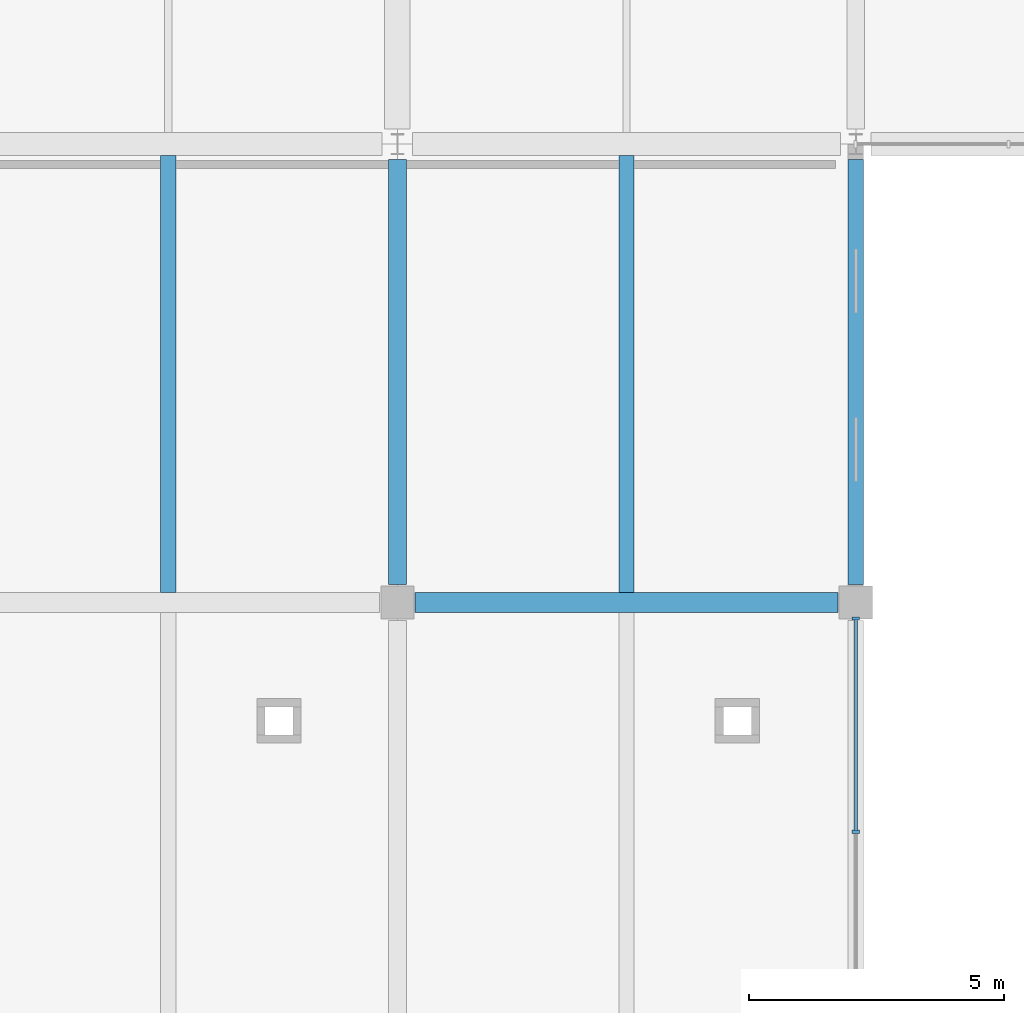
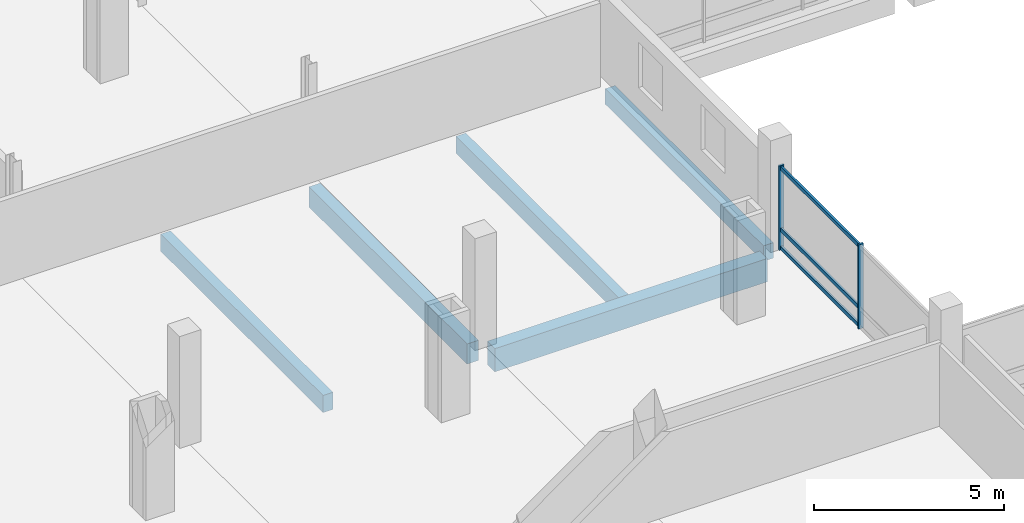
# One storey, part 37 of 132: 5 beams, 5 members, 1 element without a shape of its own.
"""IFC4 building model written with IfcOpenShell, lengths in metres."""

import ifcopenshell
import ifcopenshell.guid

model = None  # the IFC model being written
_history = None  # IfcOwnerHistory: only IFC2X3 demands one
_inside = {}  # id of a spatial element -> (the spatial element, [elements in it])
_under = {}  # id of a project, library or spatial element -> (it, [spatial elements below it])
_declared = {}  # id of a project -> (the project, [libraries it declares])
_typed = {}  # id of a type object -> (the type object, [elements of that type])
_made_of = {}  # id of a material, layer set ... -> (it, [elements and type objects made of it])


def new_model(schema):
    """Start an empty IFC model of exactly this schema.

    Asked for "IFC4X3", IfcOpenShell would pick the latest addendum, in which some entities
    have other attributes; the version numbers below select the first issue.
    IFC2X3 requires an IfcOwnerHistory on every rooted entity: one is made here for all.
    """
    global model, _history
    if schema == "IFC4X3":
        model = ifcopenshell.file(schema_version=(4, 3, 0, 0))
    else:
        model = ifcopenshell.file(schema=schema)
    _inside.clear()
    _under.clear()
    _declared.clear()
    _typed.clear()
    _made_of.clear()
    _history = None
    if model.schema == "IFC2X3":
        org = make("IfcOrganization", Name="unknown")
        user = make(
            "IfcPersonAndOrganization",
            ThePerson=make("IfcPerson", FamilyName="unknown"),
            TheOrganization=org,
        )
        app = make(
            "IfcApplication",
            ApplicationDeveloper=org,
            Version="unknown",
            ApplicationFullName="unknown",
            ApplicationIdentifier="unknown",
        )
        _history = make(
            "IfcOwnerHistory",
            OwningUser=user,
            OwningApplication=app,
            ChangeAction="ADDED",
            CreationDate=0,
        )
    return model


def make(cls, **values):
    """One entity of the class cls with the attributes given. An attribute that is None is left unset."""
    return model.create_entity(
        cls, **{name: value for name, value in values.items() if value is not None}
    )


def rooted(cls, **values):
    """An entity with a GlobalId (a new one), such as an element, a storey or a relation."""
    return make(cls, GlobalId=ifcopenshell.guid.new(), OwnerHistory=_history, **values)


def si_unit(unit_type, name, prefix=None):
    """IfcSIUnit, for example si_unit("LENGTHUNIT", "METRE", prefix="MILLI")."""
    return make("IfcSIUnit", UnitType=unit_type, Prefix=prefix, Name=name)


def assignment(units):
    """IfcUnitAssignment: the units of a project."""
    return None if units is None else make("IfcUnitAssignment", Units=units)


def point(xyz):
    """IfcCartesianPoint."""
    return None if xyz is None else make("IfcCartesianPoint", Coordinates=xyz)


def direction(xyz):
    """IfcDirection."""
    return None if xyz is None else make("IfcDirection", DirectionRatios=xyz)


def frame(location, z_axis=None, x_axis=None):
    """IfcAxis2Placement3D, a coordinate frame: its origin and axes. An axis left out is left unset."""
    return make(
        "IfcAxis2Placement3D",
        Location=point(location),
        Axis=direction(z_axis),
        RefDirection=direction(x_axis),
    )


def frame_2d(location, x_axis=None):
    """IfcAxis2Placement2D, a coordinate frame in the plane: its origin and x axis."""
    return make(
        "IfcAxis2Placement2D", Location=point(location), RefDirection=direction(x_axis)
    )


def origin():
    """The frame at (0, 0, 0) with its axes left unset."""
    return frame((0.0, 0.0, 0.0))


def origin_2d():
    """The frame at (0, 0) in the plane with its x axis left unset."""
    return frame_2d((0.0, 0.0))


def place(relative_to, where):
    """IfcLocalPlacement: puts the frame where relative to a parent placement (None: the world)."""
    return make(
        "IfcLocalPlacement", PlacementRelTo=relative_to, RelativePlacement=where
    )


def context(
    kind, dimensions, precision=None, world=None, true_north=None, identifier=None
):
    """IfcGeometricRepresentationContext, for example the 3D "Model" context."""
    return make(
        "IfcGeometricRepresentationContext",
        ContextIdentifier=identifier,
        ContextType=kind,
        CoordinateSpaceDimension=dimensions,
        Precision=precision,
        WorldCoordinateSystem=world,
        TrueNorth=true_north,
    )


def subcontext(parent, identifier, kind, view, scale=None):
    """IfcGeometricRepresentationSubContext, for example "Body" below "Model"."""
    return make(
        "IfcGeometricRepresentationSubContext",
        ContextIdentifier=identifier,
        ContextType=kind,
        ParentContext=parent,
        TargetScale=scale,
        TargetView=view,
    )


def project(units=None, contexts=None):
    """IfcProject with its units and contexts."""
    return rooted(
        "IfcProject",
        Name="project",
        RepresentationContexts=contexts,
        UnitsInContext=assignment(units),
    )


def spatial(cls, under=None, at=None, **own):
    """A site, building, storey or space (cls), placed at a placement, below another one or the project."""
    s = rooted(cls, ObjectPlacement=at, **own)
    if under is not None:
        _under.setdefault(under.id(), (under, []))[1].append(s)
    return s


def profile(cls, at=None, kind="AREA", **sizes):
    """A parametric profile (cls). Its sizes go by their IFC names, for example OverallWidth=200.0."""
    return make(cls, ProfileType=kind, Position=at, **sizes)


def rectangle(**sizes):
    """IfcRectangleProfileDef."""
    return profile("IfcRectangleProfileDef", **sizes)


def extrude(swept, where, along, depth):
    """IfcExtrudedAreaSolid: the profile swept, set in the frame where, extruded along a direction by depth."""
    return make(
        "IfcExtrudedAreaSolid",
        SweptArea=swept,
        Position=where,
        ExtrudedDirection=direction(along),
        Depth=depth,
    )


def shape(context_of_items, identifier, shape_type, items):
    """IfcShapeRepresentation: the items that make up one representation, for example the "Body"."""
    return make(
        "IfcShapeRepresentation",
        ContextOfItems=context_of_items,
        RepresentationIdentifier=identifier,
        RepresentationType=shape_type,
        Items=items,
    )


def material(Name=None, Category=None):
    """IfcMaterial."""
    return make("IfcMaterial", Name=Name, Category=Category)


def material_profile(
    of_material, cross_section, Name=None, Category=None, Priority=None
):
    """IfcMaterialProfile: a cross section and its material."""
    return make(
        "IfcMaterialProfile",
        Name=Name,
        Material=of_material,
        Profile=cross_section,
        Priority=Priority,
        Category=Category,
    )


def profile_set(profiles, Name=None, composite=None):
    """IfcMaterialProfileSet."""
    return make(
        "IfcMaterialProfileSet",
        Name=Name,
        MaterialProfiles=profiles,
        CompositeProfile=composite,
    )


def made_of(thing, what):
    """Note that an element or type object is made of a material, layer set ...; save() writes the relation."""
    if what is not None:
        _made_of.setdefault(what.id(), (what, []))[1].append(thing)
    return thing


def type_object(cls, material=None, **own):
    """A type object (cls), such as IfcWallType, which elements share."""
    return made_of(rooted(cls, **own), material)


def element(
    cls,
    number,
    at=None,
    inside=None,
    cuts=None,
    type_object=None,
    material=None,
    context=None,
    identifier="Body",
    shape_type=None,
    held_by="IfcProductDefinitionShape",
    body=None,
    shapes=None,
    **own,
):
    """One element of the class cls, such as IfcWall. Its Tag is "e" and its number.

    at: its placement. inside: the storey or other place that contains it. cuts: it is an
    opening in that element (IfcRelVoidsElement). A single representation is given by context,
    identifier, shape_type and body (its items); several are given by shapes. held_by: the class
    of the entity that holds the representations. save() writes the other relations.
    """
    e = rooted(cls, Tag="e%d" % number, ObjectPlacement=at, **own)
    if body is not None:
        shapes = [shape(context, identifier, shape_type, body)]
    if shapes is not None:
        e.Representation = make(held_by, Representations=shapes)
    if inside is not None:
        _inside.setdefault(inside.id(), (inside, []))[1].append(e)
    if cuts is not None:
        rooted(
            "IfcRelVoidsElement", RelatingBuildingElement=cuts, RelatedOpeningElement=e
        )
    if type_object is not None:
        _typed.setdefault(type_object.id(), (type_object, []))[1].append(e)
    return made_of(e, material)


def aggregate(whole, parts):
    """IfcRelAggregates: a whole, such as a stair, and the parts it consists of."""
    return rooted("IfcRelAggregates", RelatingObject=whole, RelatedObjects=parts)


def save(model, path):
    """Write the relations noted so far, then the file.

    IfcRelAggregates (storeys below a building ...), IfcRelContainedInSpatialStructure (elements
    in a storey), IfcRelDefinesByType, IfcRelAssociatesMaterial and IfcRelDeclares: one each for
    every whole, place, type object, material and project.
    """
    for whole, parts in _under.values():
        aggregate(whole, parts)
    for where, things in _inside.values():
        rooted(
            "IfcRelContainedInSpatialStructure",
            RelatedElements=things,
            RelatingStructure=where,
        )
    for kind, things in _typed.values():
        rooted("IfcRelDefinesByType", RelatedObjects=things, RelatingType=kind)
    for what, things in _made_of.values():
        rooted("IfcRelAssociatesMaterial", RelatedObjects=things, RelatingMaterial=what)
    for by, libraries in _declared.values():
        rooted("IfcRelDeclares", RelatingContext=by, RelatedDefinitions=libraries)
    model.write(path)


model = new_model("IFC4")

# Units and contexts
model_context = context("Model", 3, precision=1e-05, world=origin(), true_north=direction((0.0, 1.0)))
body_context = subcontext(model_context, "Body", "Model", "MODEL_VIEW")
ifc_project = project(units=[si_unit("LENGTHUNIT", "METRE"), si_unit("AREAUNIT", "SQUARE_METRE"), si_unit("VOLUMEUNIT", "CUBIC_METRE"), si_unit("PLANEANGLEUNIT", "RADIAN"), si_unit("MASSUNIT", "GRAM", prefix="KILO")], contexts=[model_context])

# Site, building, storey
site_placement = place(None, origin())
site = spatial("IfcSite", under=ifc_project, at=site_placement, CompositionType="ELEMENT")
building_placement = place(site_placement, origin())
building = spatial("IfcBuilding", under=site, at=building_placement, Name="Tharagai Park Tramway Depot", CompositionType="ELEMENT")
storey_placement = place(building_placement, frame((0.0, 0.0, 4.800048828125)))
storey = spatial("IfcBuildingStorey", under=building, at=storey_placement, Name="L01", CompositionType="ELEMENT", Elevation=4.800048828125)

# Beams
ifc_material_1 = material(Name="Concrete M35", Category="concrete")
ifc_material_profile_1 = material_profile(ifc_material_1, rectangle(XDim=0.35009765625, YDim=0.64990234375, at=origin_2d()), Name="RC 350x650")
ifc_profile_set_1 = profile_set([ifc_material_profile_1], Name="Concrete M35")
beam_type_1 = type_object("IfcBeamType", Name="BM-13", PredefinedType="BEAM", material=ifc_profile_set_1)
beam_1_placement = place(storey_placement, frame((54.0, 36.35009765625, -0.574951171875), z_axis=(0.0, 1.0, 0.0), x_axis=(-1.0, 0.0, 0.0)))
element("IfcBeam", 1, at=beam_1_placement, inside=storey, type_object=beam_type_1, Name="L01 Grid Beam BM-13", PredefinedType="BEAM", context=body_context, shape_type="SweptSolid", body=[
    extrude(rectangle(XDim=0.35009765625, YDim=0.64990234375, at=origin_2d()), origin(), (0.0, 0.0, 1.0), 8.349853515625),
])
ifc_material_profile_2 = material_profile(ifc_material_1, rectangle(XDim=0.39990234375, YDim=0.75, at=origin_2d()), Name="RC 400x750")
ifc_profile_set_2 = profile_set([ifc_material_profile_2], Name="Concrete M35")
beam_type_2 = type_object("IfcBeamType", Name="BM-19", PredefinedType="BEAM", material=ifc_profile_set_2)
beam_2_placement = place(storey_placement, frame((54.35009765625, 36.0, -0.625), z_axis=(1.0, 0.0, 0.0), x_axis=(0.0, 1.0, 0.0)))
element("IfcBeam", 2, at=beam_2_placement, inside=storey, type_object=beam_type_2, Name="L01 Grid Beam BM-19", PredefinedType="BEAM", context=body_context, shape_type="SweptSolid", body=[
    extrude(rectangle(XDim=0.39990234375, YDim=0.75, at=origin_2d()), origin(), (0.0, 0.0, 1.0), 8.2998046875),
])

# Curtain wall, members
ifc_material_2 = material(Name="Anodised aluminium", Category="aluminium")
curtain_wall_type = type_object("IfcCurtainWallType", Name="CW-07", PredefinedType="NOTDEFINED", material=ifc_material_2)
curtain_wall_placement = place(storey_placement, origin())
curtain_wall = element("IfcCurtainWall", 3, at=curtain_wall_placement, inside=storey, type_object=curtain_wall_type, Name="L01 V4 Side Mullioned Curtain Wall CW-07", PredefinedType="NOTDEFINED")
ifc_material_profile_3 = material_profile(ifc_material_2, rectangle(XDim=0.06494140625, YDim=0.1201171875, at=origin_2d()), Name="ALU 65x120")
ifc_profile_set_3 = profile_set([ifc_material_profile_3], Name="Anodised aluminium")
member_type_1 = type_object("IfcMemberType", Name="CM-01", PredefinedType="USERDEFINED", material=ifc_profile_set_3)
member_1_placement = place(storey_placement, frame((63.0, 31.514892578125, 0.06005859375), z_axis=(0.0, 1.0, 0.0), x_axis=(-1.0, 0.0, 0.0)))
member_1 = element("IfcMember", 4, at=member_1_placement, type_object=member_type_1, Name="L01 V4 Side Mullioned Curtain Wall Transom 2.1", ObjectType="TRANSOM", PredefinedType="USERDEFINED", context=body_context, shape_type="SweptSolid", body=[
    extrude(rectangle(XDim=0.06494140625, YDim=0.1201171875, at=origin_2d()), origin(), (0.0, 0.0, 1.0), 4.155029296875),
])
member_2_placement = place(storey_placement, frame((63.0, 31.514892578125, 0.64990234375), z_axis=(0.0, 1.0, 0.0), x_axis=(-1.0, 0.0, 0.0)))
member_2 = element("IfcMember", 5, at=member_2_placement, type_object=member_type_1, Name="L01 V4 Side Mullioned Curtain Wall Transom 2.2", ObjectType="TRANSOM", PredefinedType="USERDEFINED", context=body_context, shape_type="SweptSolid", body=[
    extrude(rectangle(XDim=0.06494140625, YDim=0.1201171875, at=origin_2d()), origin(), (0.0, 0.0, 1.0), 4.155029296875),
])
member_3_placement = place(storey_placement, frame((63.0, 31.514892578125, 2.6298828125), z_axis=(0.0, 1.0, 0.0), x_axis=(-1.0, 0.0, 0.0)))
member_3 = element("IfcMember", 6, at=member_3_placement, type_object=member_type_1, Name="L01 V4 Side Mullioned Curtain Wall Transom 2.3", ObjectType="TRANSOM", PredefinedType="USERDEFINED", context=body_context, shape_type="SweptSolid", body=[
    extrude(rectangle(XDim=0.06494140625, YDim=0.1201171875, at=origin_2d()), origin(), (0.0, 0.0, 1.0), 4.155029296875),
])
ifc_material_profile_4 = material_profile(ifc_material_2, rectangle(XDim=0.06494140625, YDim=0.14990234375, at=origin_2d()), Name="ALU 65x150")
ifc_profile_set_4 = profile_set([ifc_material_profile_4], Name="Anodised aluminium")
member_type_2 = type_object("IfcMemberType", Name="CM-03", PredefinedType="MULLION", material=ifc_profile_set_4)
member_4_placement = place(storey_placement, frame((63.0, 31.5, -0.005126953125), z_axis=(0.0, 0.0, 1.0), x_axis=(0.0, 1.0, 0.0)))
member_4 = element("IfcMember", 7, at=member_4_placement, type_object=member_type_2, Name="L01 V4 Side Mullioned Curtain Wall Mullion 2", PredefinedType="MULLION", context=body_context, shape_type="SweptSolid", body=[
    extrude(rectangle(XDim=0.06494140625, YDim=0.14990234375, at=origin_2d()), origin(), (0.0, 0.0, 1.0), 2.719970703125),
])
member_5_placement = place(storey_placement, frame((63.0, 35.68505859375, -0.005126953125), z_axis=(0.0, 0.0, 1.0), x_axis=(0.0, 1.0, 0.0)))
member_5 = element("IfcMember", 8, at=member_5_placement, type_object=member_type_2, Name="L01 V4 Side Mullioned Curtain Wall Mullion 3", PredefinedType="MULLION", context=body_context, shape_type="SweptSolid", body=[
    extrude(rectangle(XDim=0.06494140625, YDim=0.14990234375, at=origin_2d()), origin(), (0.0, 0.0, 1.0), 2.719970703125),
])
aggregate(curtain_wall, [member_4, member_5, member_1, member_2, member_3])

# Beams
ifc_material_profile_5 = material_profile(ifc_material_1, rectangle(XDim=0.300048828125, YDim=0.550048828125, at=origin_2d()), Name="RC 300x550")
ifc_profile_set_5 = profile_set([ifc_material_profile_5], Name="Concrete M35")
beam_type_3 = type_object("IfcBeamType", Name="JT-06", PredefinedType="JOIST", material=ifc_profile_set_5)
for number, where, z_axis, x_axis, name in (
    (9, (49.5, 36.199951171875, -0.525146484375), (0.0, 1.0, 0.0), (-1.0, 0.0, 0.0), "L01 Secondary Joist JT-06"),
    (10, (58.5, 36.199951171875, -0.525146484375), (0.0, 1.0, 0.0), (-1.0, 0.0, 0.0), "L01 Secondary Joist JT-06"),
):
    element("IfcBeam", number, at=place(storey_placement, frame(where, z_axis=z_axis, x_axis=x_axis)), inside=storey, type_object=beam_type_3, Name=name, PredefinedType="JOIST", context=body_context, shape_type="SweptSolid", body=[
        extrude(rectangle(XDim=0.300048828125, YDim=0.550048828125, at=origin_2d()), origin(), (0.0, 0.0, 1.0), 8.574951171875),
    ])
ifc_material_profile_6 = material_profile(ifc_material_1, rectangle(XDim=0.300048828125, YDim=0.5, at=origin_2d()), Name="RC 300x500")
ifc_profile_set_6 = profile_set([ifc_material_profile_6], Name="Concrete M35")
beam_type_4 = type_object("IfcBeamType", Name="SP-03", PredefinedType="SPANDREL", material=ifc_profile_set_6)
beam_3_placement = place(storey_placement, frame((63.0, 36.35009765625, -0.5), z_axis=(0.0, 1.0, 0.0), x_axis=(-1.0, 0.0, 0.0)))
element("IfcBeam", 11, at=beam_3_placement, inside=storey, type_object=beam_type_4, Name="L01 Grid Beam SP-03", PredefinedType="SPANDREL", context=body_context, shape_type="SweptSolid", body=[
    extrude(rectangle(XDim=0.300048828125, YDim=0.5, at=origin_2d()), origin(), (0.0, 0.0, 1.0), 8.349853515625),
])

save(model, "model.ifc")
